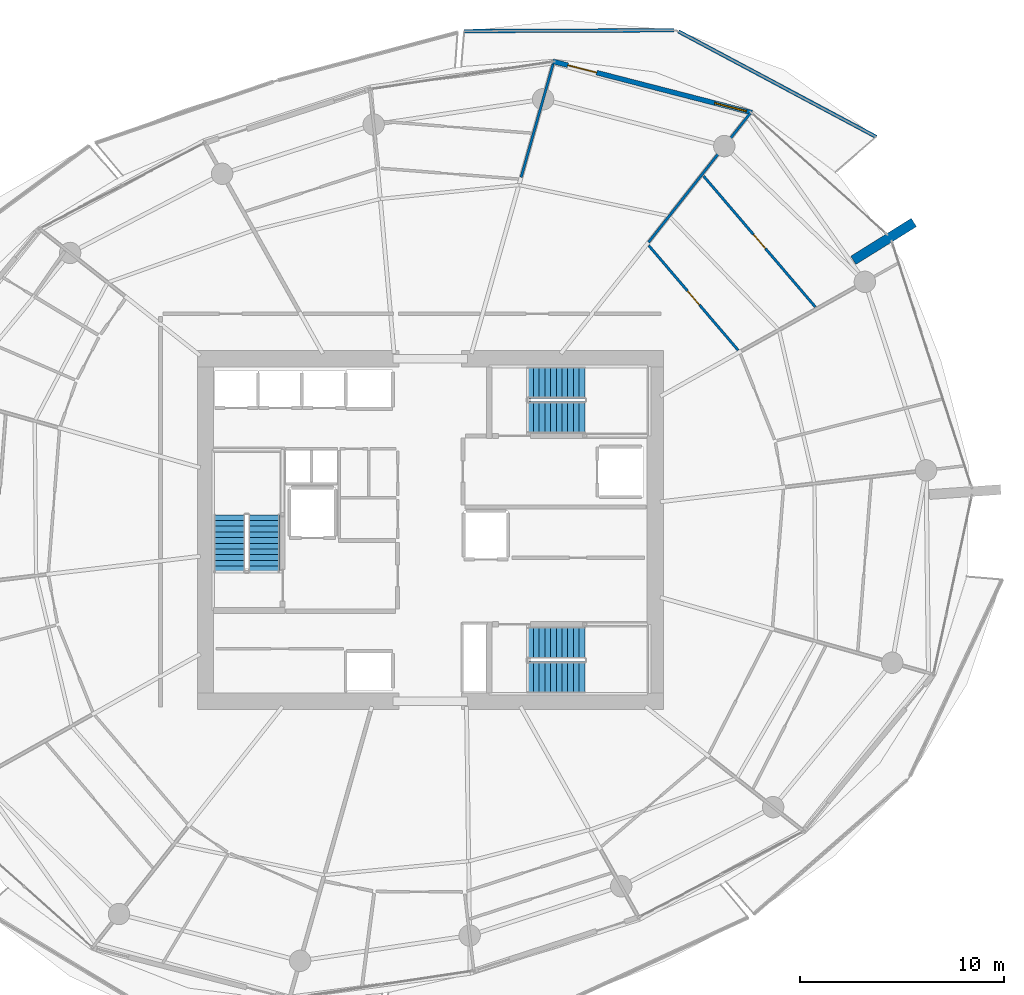
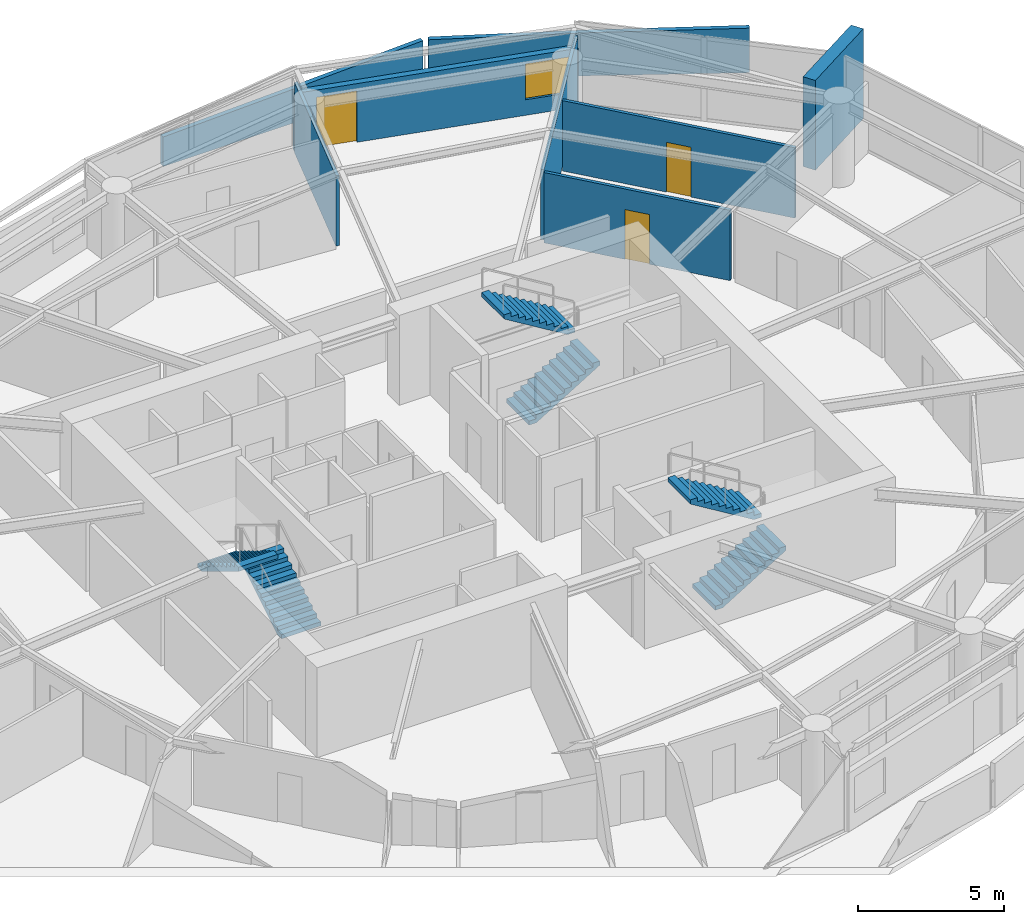
# One storey, part 15 of 20: 8 walls, 6 stair flights, 3 doors, 1 window, 4 openings, 3 elements without a shape of their own.
"""IFC4 building model written with IfcOpenShell, lengths in metres."""

from ifc_helpers import new_model, si_unit, direction, frame, frame_2d, origin, place, context, subcontext, project, spatial, polyline, rectangle, outline, extrude, material, layer, layer_set, type_object, element, fill, aggregate, save


model = new_model("IFC4")

# Units and contexts
model_context = context("Model", 3, precision=1e-05, world=origin(), true_north=direction((0.0, 1.0)))
body_context = subcontext(model_context, "Body", "Model", "MODEL_VIEW")
ifc_project = project(units=[si_unit("LENGTHUNIT", "METRE"), si_unit("AREAUNIT", "SQUARE_METRE"), si_unit("VOLUMEUNIT", "CUBIC_METRE"), si_unit("PLANEANGLEUNIT", "RADIAN"), si_unit("MASSUNIT", "GRAM", prefix="KILO")], contexts=[model_context])

# Site, building, storey
site_placement = place(None, origin())
site = spatial("IfcSite", under=ifc_project, at=site_placement, CompositionType="ELEMENT")
building_placement = place(site_placement, origin())
building = spatial("IfcBuilding", under=site, at=building_placement, Name="Kazma Halo Residences", CompositionType="ELEMENT")
storey_placement = place(building_placement, frame((0.0, 0.0, 169.050048828125)))
storey = spatial("IfcBuildingStorey", under=building, at=storey_placement, Name="L42", CompositionType="ELEMENT", Elevation=169.050048828125)

# Walls
ifc_material_1 = material(Name="White Concrete C50/60 Balustrade", Category="concrete")
ifc_layer_1 = layer(ifc_material_1, 0.179931640625)
ifc_layer_set_1 = layer_set([ifc_layer_1], Name="White Concrete C50/60 Balustrade")
wall_type_1 = type_object("IfcWallType", Name="WL-BAL-WAVE-180", PredefinedType="PARAPET", material=ifc_layer_set_1)
wall_1_placement = place(storey_placement, frame((70.2900390625, 61.274169921875, 0.0), z_axis=(0.0, 0.0, 1.0), x_axis=(-0.882327117471, 0.470636651543, 0.0)))
element("IfcWall", 1, at=wall_1_placement, inside=storey, type_object=wall_type_1, Name="L42 white wave balustrade wall NE.1", PredefinedType="PARAPET", context=body_context, shape_type="SweptSolid", body=[
    extrude(outline(polyline([(0.0, 0.0), (10.9921875, 0.0), (10.9921875, 1.6318359375), (5.49609375, 1.7978515625), (0.0, 1.85986328125), (0.0, 0.0)])), frame((0.0, 0.08984375, 0.0), z_axis=(0.0, -1.0, 0.0), x_axis=(1.0, 0.0, 0.0)), (0.0, 0.0, 1.0), 0.179931640625),
])
wall_2_placement = place(storey_placement, frame((60.365478515625, 66.50341796875, 0.0), z_axis=(0.0, 0.0, 1.0), x_axis=(-0.999991960948, -0.004009743075, 0.0)))
element("IfcWall", 2, at=wall_2_placement, inside=storey, type_object=wall_type_1, Name="L42 white wave balustrade wall NE.2", PredefinedType="PARAPET", context=body_context, shape_type="SweptSolid", body=[
    extrude(outline(polyline([(0.0, 0.0), (10.289794921875, 0.0), (10.289794921875, 1.23291015625), (5.14501953125, 1.41796875), (0.0, 1.6318359375), (0.0, 0.0)])), frame((0.0, 0.08984375, 0.0), z_axis=(0.0, -1.0, 0.0), x_axis=(1.0, 0.0, 0.0)), (0.0, 0.0, 1.0), 0.179931640625),
])
ifc_material_2 = material(Name="Pale Concrete C60/75", Category="concrete")
ifc_layer_2 = layer(ifc_material_2, 0.47998046875)
ifc_layer_set_2 = layer_set([ifc_layer_2], Name="Pale Concrete C60/75")
wall_type_2 = type_object("IfcWallType", Name="WL-BLADE-480", PredefinedType="SOLIDWALL", material=ifc_layer_set_2)
wall_3_placement = place(storey_placement, frame((69.165283203125, 55.2255859375, 0.0), z_axis=(0.0, 0.0, 1.0), x_axis=(0.848053161125, 0.529911158502, 0.0)))
element("IfcWall", 3, at=wall_3_placement, inside=storey, type_object=wall_type_2, Name="L42 pale concrete structural blade fin wall BW-01", PredefinedType="SOLIDWALL", context=body_context, shape_type="SweptSolid", body=[
    extrude(rectangle(XDim=3.5, YDim=0.47998046875, at=frame_2d((1.75, 0.0))), origin(), (0.0, 0.0, 1.0), 3.75),
])

# Wall, openings, door, window
ifc_material_3 = material(Name="Insulated Pale-Metal Composite Wall")
ifc_layer_3 = layer(ifc_material_3, 0.239990234375)
ifc_layer_set_3 = layer_set([ifc_layer_3], Name="Insulated Pale-Metal Composite Wall")
wall_type_3 = type_object("IfcWallType", Name="WL-EXT-HOST-240", PredefinedType="SOLIDWALL", material=ifc_layer_set_3)
wall_4_placement = place(storey_placement, frame((64.192138671875, 62.4658203125, 0.0), z_axis=(0.0, 0.0, 1.0), x_axis=(-0.968379685126, 0.249481032214, 0.0)))
wall_4 = element("IfcWall", 4, at=wall_4_placement, inside=storey, type_object=wall_type_3, Name="L42 exterior terrace-access wall B02", PredefinedType="SOLIDWALL", context=body_context, shape_type="SweptSolid", body=[
    extrude(rectangle(XDim=10.08154296875, YDim=0.239990234375, at=frame_2d((5.040771484375, 0.0))), origin(), (0.0, 0.0, 1.0), 2.449951171875),
])
opening_1_placement = place(wall_4_placement, frame((7.861572265625, 0.0, 0.0)))
opening_1 = element("IfcOpeningElement", 5, at=opening_1_placement, cuts=wall_4, Name="Opening DTR-1600", PredefinedType="OPENING", context=body_context, shape_type="SweptSolid", body=[
    extrude(rectangle(XDim=1.449951171875, YDim=2.14990234375, at=frame_2d((0.72509765625, 1.074951171875))), frame((0.0, 0.1298828125, 0.0), z_axis=(0.0, -1.0, 0.0), x_axis=(1.0, 0.0, 0.0)), (0.0, 0.0, 1.0), 0.260009765625),
])
opening_2_placement = place(wall_4_placement, frame((0.280029296875, 0.0, 0.64990234375)))
opening_2 = element("IfcOpeningElement", 6, at=opening_2_placement, cuts=wall_4, Name="Opening W-1800", PredefinedType="OPENING", context=body_context, shape_type="SweptSolid", body=[
    extrude(rectangle(XDim=1.60009765625, YDim=1.5, at=frame_2d((0.800048828125, 0.75))), frame((0.0, 0.1298828125, 0.0), z_axis=(0.0, -1.0, 0.0), x_axis=(1.0, 0.0, 0.0)), (0.0, 0.0, 1.0), 0.260009765625),
])
ifc_material_4 = material(Name="Aluminium AW-6063 T6 Double-Glazed Terrace Door", Category="aluminium")
door_type_1 = type_object("IfcDoorType", Name="DR-EXT-TERR-1600", OperationType="NOTDEFINED", PredefinedType="DOOR", material=ifc_material_4)
door_1_placement = place(opening_1_placement, origin())
door_1 = element("IfcDoor", 7, at=door_1_placement, inside=storey, type_object=door_type_1, Name="L42 B02 balcony terrace door", OperationType="DOUBLE_DOOR_SLIDING", OverallHeight=2.14990234375, OverallWidth=1.449951171875, PredefinedType="DOOR", context=body_context, shape_type="SweptSolid", body=[
    extrude(rectangle(XDim=1.449951171875, YDim=2.14990234375, at=frame_2d((0.72509765625, 1.074951171875))), frame((0.0, 0.02490234375, 0.0), z_axis=(0.0, -1.0, 0.0), x_axis=(1.0, 0.0, 0.0)), (0.0, 0.0, 1.0), 0.050048828125),
])
fill(opening_1, door_1)
ifc_material_5 = material(Name="Clear Triple-Silver Low-E Glass in Aluminium AW-6063 T6 Frame", Category="aluminium")
window_type = type_object("IfcWindowType", Name="WIN-RES-1800", PartitioningType="DOUBLE_PANEL_VERTICAL", PredefinedType="WINDOW", material=ifc_material_5)
window_placement = place(opening_2_placement, origin())
window = element("IfcWindow", 8, at=window_placement, inside=storey, type_object=window_type, Name="L42 B02 apartment window", OverallHeight=1.5, OverallWidth=1.60009765625, PartitioningType="SINGLE_PANEL", PredefinedType="WINDOW", context=body_context, shape_type="SweptSolid", body=[
    extrude(rectangle(XDim=1.60009765625, YDim=1.5, at=frame_2d((0.800048828125, 0.75))), frame((0.0, 0.030029296875, 0.0), z_axis=(0.0, -1.0, 0.0), x_axis=(1.0, 0.0, 0.0)), (0.0, 0.0, 1.0), 0.06005859375),
])
fill(opening_2, window)

# Wall
ifc_material_6 = material(Name="Gypsum Plasterboard Partition")
ifc_layer_4 = layer(ifc_material_6, 0.125)
ifc_layer_set_4 = layer_set([ifc_layer_4], Name="Gypsum Plasterboard Partition")
wall_type_4 = type_object("IfcWallType", Name="WL-PART-125", PredefinedType="PARTITIONING", material=ifc_layer_set_4)
wall_5_placement = place(storey_placement, frame((59.125, 56.112060546875, 0.0), z_axis=(0.0, 0.0, 1.0), x_axis=(0.61910151414, 0.78531096719, 0.0)))
element("IfcWall", 9, at=wall_5_placement, inside=storey, type_object=wall_type_4, Name="L42 Apartment 2 living radial partition 0", PredefinedType="PARTITIONING", context=body_context, shape_type="SweptSolid", body=[
    extrude(rectangle(XDim=8.081787109375, YDim=0.125, at=frame_2d((4.041015625, 0.0))), origin(), (0.0, 0.0, 1.0), 2.93994140625),
])

# Wall, opening, door
wall_6_placement = place(storey_placement, frame((63.52001953125, 50.815185546875, 0.0), z_axis=(0.0, 0.0, 1.0), x_axis=(-0.649447526186, 0.760406411553, 0.0)))
wall_6 = element("IfcWall", 10, at=wall_6_placement, inside=storey, type_object=wall_type_4, Name="L42 Apartment 2 Gulf Study hall wall", PredefinedType="PARTITIONING", context=body_context, shape_type="SweptSolid", body=[
    extrude(rectangle(XDim=6.752685546875, YDim=0.125, at=frame_2d((3.37646484375, 0.0))), origin(), (0.0, 0.0, 1.0), 2.93994140625),
])
opening_3_placement = place(wall_6_placement, frame((2.92626953125, 0.0, 0.0)))
opening_3 = element("IfcOpeningElement", 11, at=opening_3_placement, cuts=wall_6, Name="Opening DI-950", PredefinedType="OPENING", context=body_context, shape_type="SweptSolid", body=[
    extrude(rectangle(XDim=0.89990234375, YDim=2.080078125, at=frame_2d((0.449951171875, 1.0400390625))), frame((0.0, 0.072509765625, 0.0), z_axis=(0.0, -1.0, 0.0), x_axis=(1.0, 0.0, 0.0)), (0.0, 0.0, 1.0), 0.14501953125),
])
ifc_material_7 = material(Name="Timber Veneer Flush Leaf", Category="wood")
door_type_2 = type_object("IfcDoorType", Name="DR-INT-950", OperationType="NOTDEFINED", PredefinedType="DOOR", material=ifc_material_7)
door_2_placement = place(opening_3_placement, origin())
door_2 = element("IfcDoor", 12, at=door_2_placement, inside=storey, type_object=door_type_2, Name="L42 Apartment 2 Gulf Study door", OperationType="SINGLE_SWING_LEFT", OverallHeight=2.080078125, OverallWidth=0.89990234375, PredefinedType="DOOR", context=body_context, shape_type="SweptSolid", body=[
    extrude(rectangle(XDim=0.89990234375, YDim=2.080078125, at=frame_2d((0.449951171875, 1.0400390625))), frame((0.0, 0.02490234375, 0.0), z_axis=(0.0, -1.0, 0.0), x_axis=(1.0, 0.0, 0.0)), (0.0, 0.0, 1.0), 0.050048828125),
])
fill(opening_3, door_2)

wall_7_placement = place(storey_placement, frame((67.305908203125, 52.935302734375, 0.0), z_axis=(0.0, 0.0, 1.0), x_axis=(-0.649454860638, 0.760400147287, 0.0)))
wall_7 = element("IfcWall", 13, at=wall_7_placement, inside=storey, type_object=wall_type_4, Name="L42 Apartment 2 Primary Master Bedroom divider wall", PredefinedType="PARTITIONING", context=body_context, shape_type="SweptSolid", body=[
    extrude(rectangle(XDim=8.44580078125, YDim=0.125, at=frame_2d((4.222900390625, 0.0))), origin(), (0.0, 0.0, 1.0), 2.93994140625),
])
opening_4_placement = place(wall_7_placement, frame((3.772705078125, 0.0, 0.0)))
opening_4 = element("IfcOpeningElement", 14, at=opening_4_placement, cuts=wall_7, Name="Opening DI-950", PredefinedType="OPENING", context=body_context, shape_type="SweptSolid", body=[
    extrude(rectangle(XDim=0.89990234375, YDim=2.080078125, at=frame_2d((0.449951171875, 1.0400390625))), frame((0.0, 0.072509765625, 0.0), z_axis=(0.0, -1.0, 0.0), x_axis=(1.0, 0.0, 0.0)), (0.0, 0.0, 1.0), 0.14501953125),
])
door_3_placement = place(opening_4_placement, origin())
door_3 = element("IfcDoor", 15, at=door_3_placement, inside=storey, type_object=door_type_2, Name="L42 Apartment 2 Primary Master Bedroom door", OperationType="SINGLE_SWING_RIGHT", OverallHeight=2.080078125, OverallWidth=0.89990234375, PredefinedType="DOOR", context=body_context, shape_type="SweptSolid", body=[
    extrude(rectangle(XDim=0.89990234375, YDim=2.080078125, at=frame_2d((0.449951171875, 1.0400390625))), frame((0.0, 0.02490234375, 0.0), z_axis=(0.0, -1.0, 0.0), x_axis=(1.0, 0.0, 0.0)), (0.0, 0.0, 1.0), 0.050048828125),
])
fill(opening_4, door_3)

# Wall
wall_8_placement = place(storey_placement, frame((52.877685546875, 59.29541015625, 0.0), z_axis=(0.0, 0.0, 1.0), x_axis=(0.271461170106, 0.962449392501, 0.0)))
element("IfcWall", 16, at=wall_8_placement, inside=storey, type_object=wall_type_4, Name="L42 Apartment 2 radial partition 2", PredefinedType="PARTITIONING", context=body_context, shape_type="SweptSolid", body=[
    extrude(rectangle(XDim=5.769287109375, YDim=0.125, at=frame_2d((2.884765625, 0.0))), origin(), (0.0, 0.0, 1.0), 2.93994140625),
])

# Stair, stair flights
ifc_material_8 = material(Name="Concrete C50/60", Category="concrete")
stair_type = type_object("IfcStairType", Name="STR-RES1", PredefinedType="HALF_TURN_STAIR", material=ifc_material_8)
stair_1_placement = place(storey_placement, origin())
stair_1 = element("IfcStair", 17, at=stair_1_placement, inside=storey, type_object=stair_type, Name="L42 Core exit stair ST-01", PredefinedType="HALF_TURN_STAIR")
stair_flight_type = type_object("IfcStairFlightType", Name="STR-RES1-FLT", PredefinedType="STRAIGHT", material=ifc_material_8)
stair_flight_1_placement = place(storey_placement, frame((40.27490234375, 39.949951171875, 0.0), z_axis=(0.0, 0.0, 1.0), x_axis=(0.0, 1.0, 0.0)))
stair_flight_1 = element("IfcStairFlight", 18, at=stair_flight_1_placement, type_object=stair_flight_type, Name="ST-01 flight 1", NumberOfRisers=11, NumberOfTreads=10, PredefinedType="STRAIGHT", RiserHeight=0.170454545, TreadLength=0.28, context=body_context, shape_type="SweptSolid", body=[
    extrude(outline(polyline([(0.0, 0.0), (0.0, 0.17041015625), (0.280029296875, 0.17041015625), (0.280029296875, 0.3408203125), (0.56005859375, 0.3408203125), (0.56005859375, 0.511474609375), (0.840087890625, 0.511474609375), (0.840087890625, 0.681884765625), (1.1201171875, 0.681884765625), (1.1201171875, 0.852294921875), (1.39990234375, 0.852294921875), (1.39990234375, 1.022705078125), (1.679931640625, 1.022705078125), (1.679931640625, 1.193115234375), (1.9599609375, 1.193115234375), (1.9599609375, 1.363525390625), (2.239990234375, 1.363525390625), (2.239990234375, 1.5341796875), (2.52001953125, 1.5341796875), (2.52001953125, 1.70458984375), (2.800048828125, 1.70458984375), (2.800048828125, 1.875), (2.800048828125, 1.529052734375), (0.288330078125, 0.0), (0.0, 0.0)])), frame((0.0, 0.77490234375, 0.0), z_axis=(0.0, -1.0, 0.0), x_axis=(1.0, 0.0, 0.0)), (0.0, 0.0, 1.0), 1.550048828125),
])
stair_flight_2_placement = place(storey_placement, frame((38.574951171875, 42.75, 1.875), z_axis=(0.0, 0.0, 1.0), x_axis=(0.0, -1.0, 0.0)))
stair_flight_2 = element("IfcStairFlight", 19, at=stair_flight_2_placement, type_object=stair_flight_type, Name="ST-01 flight 2", NumberOfRisers=11, NumberOfTreads=10, PredefinedType="STRAIGHT", RiserHeight=0.170454545, TreadLength=0.28, context=body_context, shape_type="SweptSolid", body=[
    extrude(outline(polyline([(0.0, 0.0), (0.0, 0.17041015625), (0.280029296875, 0.17041015625), (0.280029296875, 0.3408203125), (0.56005859375, 0.3408203125), (0.56005859375, 0.511474609375), (0.840087890625, 0.511474609375), (0.840087890625, 0.681884765625), (1.1201171875, 0.681884765625), (1.1201171875, 0.852294921875), (1.39990234375, 0.852294921875), (1.39990234375, 1.022705078125), (1.679931640625, 1.022705078125), (1.679931640625, 1.193115234375), (1.9599609375, 1.193115234375), (1.9599609375, 1.363525390625), (2.239990234375, 1.363525390625), (2.239990234375, 1.5341796875), (2.52001953125, 1.5341796875), (2.52001953125, 1.70458984375), (2.800048828125, 1.70458984375), (2.800048828125, 1.875), (2.800048828125, 1.529052734375), (0.288330078125, 0.0), (0.0, 0.0)])), frame((0.0, 0.77490234375, 0.0), z_axis=(0.0, -1.0, 0.0), x_axis=(1.0, 0.0, 0.0)), (0.0, 0.0, 1.0), 1.550048828125),
])
aggregate(stair_1, [stair_flight_1, stair_flight_2])

stair_2_placement = place(storey_placement, origin())
stair_2 = element("IfcStair", 20, at=stair_2_placement, inside=storey, type_object=stair_type, Name="L42 Core exit stair ST-02", PredefinedType="HALF_TURN_STAIR")
stair_flight_3_placement = place(storey_placement, frame((53.199951171875, 47.52490234375, 0.0), z_axis=(0.0, 0.0, 1.0), x_axis=(1.0, 0.0, 0.0)))
stair_flight_3 = element("IfcStairFlight", 21, at=stair_flight_3_placement, type_object=stair_flight_type, Name="ST-02 flight 1", NumberOfRisers=11, NumberOfTreads=10, PredefinedType="STRAIGHT", RiserHeight=0.170454545, TreadLength=0.28, context=body_context, shape_type="SweptSolid", body=[
    extrude(outline(polyline([(0.0, 0.0), (0.0, 0.17041015625), (0.280029296875, 0.17041015625), (0.280029296875, 0.3408203125), (0.56005859375, 0.3408203125), (0.56005859375, 0.511474609375), (0.840087890625, 0.511474609375), (0.840087890625, 0.681884765625), (1.1201171875, 0.681884765625), (1.1201171875, 0.852294921875), (1.39990234375, 0.852294921875), (1.39990234375, 1.022705078125), (1.679931640625, 1.022705078125), (1.679931640625, 1.193115234375), (1.9599609375, 1.193115234375), (1.9599609375, 1.363525390625), (2.239990234375, 1.363525390625), (2.239990234375, 1.5341796875), (2.52001953125, 1.5341796875), (2.52001953125, 1.70458984375), (2.800048828125, 1.70458984375), (2.800048828125, 1.875), (2.800048828125, 1.529052734375), (0.288330078125, 0.0), (0.0, 0.0)])), frame((0.0, 0.77490234375, 0.0), z_axis=(0.0, -1.0, 0.0), x_axis=(1.0, 0.0, 0.0)), (0.0, 0.0, 1.0), 1.550048828125),
])
stair_flight_4_placement = place(storey_placement, frame((56.0, 49.22509765625, 1.875), z_axis=(0.0, 0.0, 1.0), x_axis=(-1.0, 0.0, 0.0)))
stair_flight_4 = element("IfcStairFlight", 22, at=stair_flight_4_placement, type_object=stair_flight_type, Name="ST-02 flight 2", NumberOfRisers=11, NumberOfTreads=10, PredefinedType="STRAIGHT", RiserHeight=0.170454545, TreadLength=0.28, context=body_context, shape_type="SweptSolid", body=[
    extrude(outline(polyline([(0.0, 0.0), (0.0, 0.17041015625), (0.280029296875, 0.17041015625), (0.280029296875, 0.3408203125), (0.56005859375, 0.3408203125), (0.56005859375, 0.511474609375), (0.840087890625, 0.511474609375), (0.840087890625, 0.681884765625), (1.1201171875, 0.681884765625), (1.1201171875, 0.852294921875), (1.39990234375, 0.852294921875), (1.39990234375, 1.022705078125), (1.679931640625, 1.022705078125), (1.679931640625, 1.193115234375), (1.9599609375, 1.193115234375), (1.9599609375, 1.363525390625), (2.239990234375, 1.363525390625), (2.239990234375, 1.5341796875), (2.52001953125, 1.5341796875), (2.52001953125, 1.70458984375), (2.800048828125, 1.70458984375), (2.800048828125, 1.875), (2.800048828125, 1.529052734375), (0.288330078125, 0.0), (0.0, 0.0)])), frame((0.0, 0.77490234375, 0.0), z_axis=(0.0, -1.0, 0.0), x_axis=(1.0, 0.0, 0.0)), (0.0, 0.0, 1.0), 1.550048828125),
])
aggregate(stair_2, [stair_flight_3, stair_flight_4])

stair_3_placement = place(storey_placement, origin())
stair_3 = element("IfcStair", 23, at=stair_3_placement, inside=storey, type_object=stair_type, Name="L42 Core exit stair ST-03", PredefinedType="HALF_TURN_STAIR")
stair_flight_5_placement = place(storey_placement, frame((53.199951171875, 34.77490234375, 0.0), z_axis=(0.0, 0.0, 1.0), x_axis=(1.0, 0.0, 0.0)))
stair_flight_5 = element("IfcStairFlight", 24, at=stair_flight_5_placement, type_object=stair_flight_type, Name="ST-03 flight 1", NumberOfRisers=11, NumberOfTreads=10, PredefinedType="STRAIGHT", RiserHeight=0.170454545, TreadLength=0.28, context=body_context, shape_type="SweptSolid", body=[
    extrude(outline(polyline([(0.0, 0.0), (0.0, 0.17041015625), (0.280029296875, 0.17041015625), (0.280029296875, 0.3408203125), (0.56005859375, 0.3408203125), (0.56005859375, 0.511474609375), (0.840087890625, 0.511474609375), (0.840087890625, 0.681884765625), (1.1201171875, 0.681884765625), (1.1201171875, 0.852294921875), (1.39990234375, 0.852294921875), (1.39990234375, 1.022705078125), (1.679931640625, 1.022705078125), (1.679931640625, 1.193115234375), (1.9599609375, 1.193115234375), (1.9599609375, 1.363525390625), (2.239990234375, 1.363525390625), (2.239990234375, 1.5341796875), (2.52001953125, 1.5341796875), (2.52001953125, 1.70458984375), (2.800048828125, 1.70458984375), (2.800048828125, 1.875), (2.800048828125, 1.529052734375), (0.288330078125, 0.0), (0.0, 0.0)])), frame((0.0, 0.77490234375, 0.0), z_axis=(0.0, -1.0, 0.0), x_axis=(1.0, 0.0, 0.0)), (0.0, 0.0, 1.0), 1.550048828125),
])
stair_flight_6_placement = place(storey_placement, frame((56.0, 36.47509765625, 1.875), z_axis=(0.0, 0.0, 1.0), x_axis=(-1.0, 0.0, 0.0)))
stair_flight_6 = element("IfcStairFlight", 25, at=stair_flight_6_placement, type_object=stair_flight_type, Name="ST-03 flight 2", NumberOfRisers=11, NumberOfTreads=10, PredefinedType="STRAIGHT", RiserHeight=0.170454545, TreadLength=0.28, context=body_context, shape_type="SweptSolid", body=[
    extrude(outline(polyline([(0.0, 0.0), (0.0, 0.17041015625), (0.280029296875, 0.17041015625), (0.280029296875, 0.3408203125), (0.56005859375, 0.3408203125), (0.56005859375, 0.511474609375), (0.840087890625, 0.511474609375), (0.840087890625, 0.681884765625), (1.1201171875, 0.681884765625), (1.1201171875, 0.852294921875), (1.39990234375, 0.852294921875), (1.39990234375, 1.022705078125), (1.679931640625, 1.022705078125), (1.679931640625, 1.193115234375), (1.9599609375, 1.193115234375), (1.9599609375, 1.363525390625), (2.239990234375, 1.363525390625), (2.239990234375, 1.5341796875), (2.52001953125, 1.5341796875), (2.52001953125, 1.70458984375), (2.800048828125, 1.70458984375), (2.800048828125, 1.875), (2.800048828125, 1.529052734375), (0.288330078125, 0.0), (0.0, 0.0)])), frame((0.0, 0.77490234375, 0.0), z_axis=(0.0, -1.0, 0.0), x_axis=(1.0, 0.0, 0.0)), (0.0, 0.0, 1.0), 1.550048828125),
])
aggregate(stair_3, [stair_flight_5, stair_flight_6])

save(model, "model.ifc")
